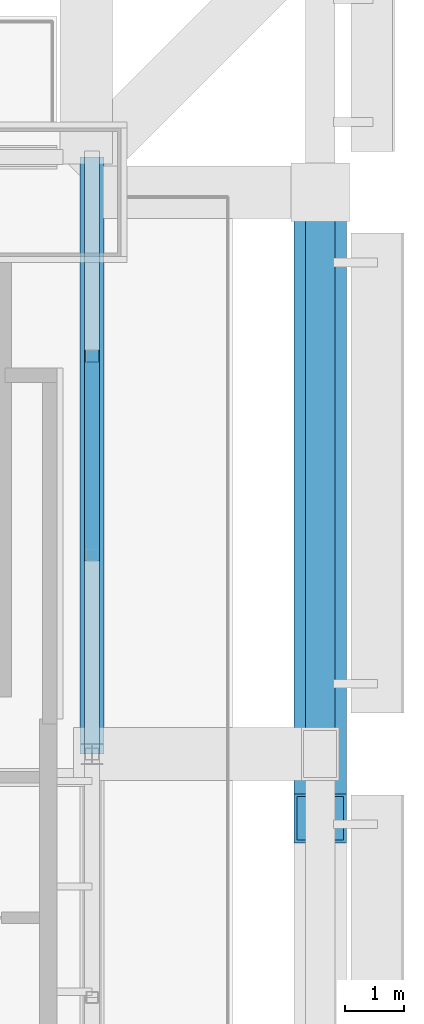
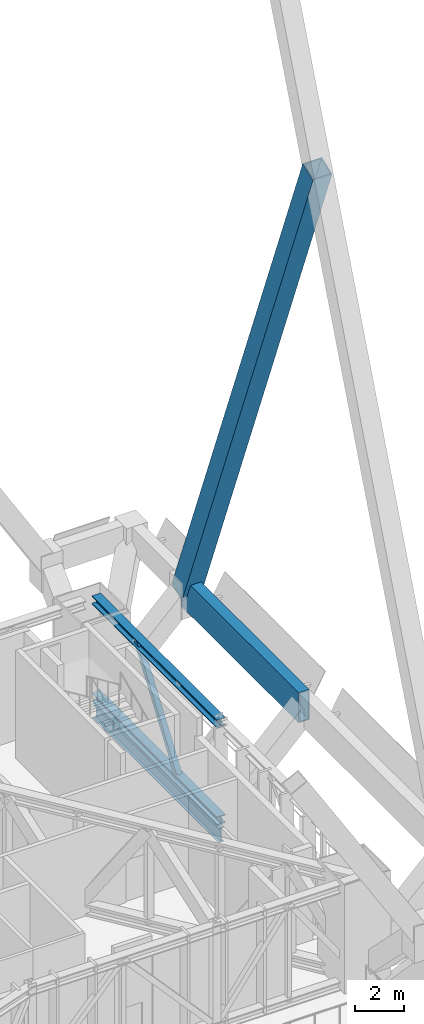
# One storey, part 18 of 30: 4 members, 2 beams.
"""IFC4 building model written with IfcOpenShell, lengths in metres."""

import ifcopenshell
import ifcopenshell.guid

model = None  # the IFC model being written
_history = None  # IfcOwnerHistory: only IFC2X3 demands one
_inside = {}  # id of a spatial element -> (the spatial element, [elements in it])
_under = {}  # id of a project, library or spatial element -> (it, [spatial elements below it])
_declared = {}  # id of a project -> (the project, [libraries it declares])
_typed = {}  # id of a type object -> (the type object, [elements of that type])
_made_of = {}  # id of a material, layer set ... -> (it, [elements and type objects made of it])


def new_model(schema):
    """Start an empty IFC model of exactly this schema.

    Asked for "IFC4X3", IfcOpenShell would pick the latest addendum, in which some entities
    have other attributes; the version numbers below select the first issue.
    IFC2X3 requires an IfcOwnerHistory on every rooted entity: one is made here for all.
    """
    global model, _history
    if schema == "IFC4X3":
        model = ifcopenshell.file(schema_version=(4, 3, 0, 0))
    else:
        model = ifcopenshell.file(schema=schema)
    _inside.clear()
    _under.clear()
    _declared.clear()
    _typed.clear()
    _made_of.clear()
    _history = None
    if model.schema == "IFC2X3":
        org = make("IfcOrganization", Name="unknown")
        user = make(
            "IfcPersonAndOrganization",
            ThePerson=make("IfcPerson", FamilyName="unknown"),
            TheOrganization=org,
        )
        app = make(
            "IfcApplication",
            ApplicationDeveloper=org,
            Version="unknown",
            ApplicationFullName="unknown",
            ApplicationIdentifier="unknown",
        )
        _history = make(
            "IfcOwnerHistory",
            OwningUser=user,
            OwningApplication=app,
            ChangeAction="ADDED",
            CreationDate=0,
        )
    return model


def make(cls, **values):
    """One entity of the class cls with the attributes given. An attribute that is None is left unset."""
    return model.create_entity(
        cls, **{name: value for name, value in values.items() if value is not None}
    )


def rooted(cls, **values):
    """An entity with a GlobalId (a new one), such as an element, a storey or a relation."""
    return make(cls, GlobalId=ifcopenshell.guid.new(), OwnerHistory=_history, **values)


def si_unit(unit_type, name, prefix=None):
    """IfcSIUnit, for example si_unit("LENGTHUNIT", "METRE", prefix="MILLI")."""
    return make("IfcSIUnit", UnitType=unit_type, Prefix=prefix, Name=name)


def assignment(units):
    """IfcUnitAssignment: the units of a project."""
    return None if units is None else make("IfcUnitAssignment", Units=units)


def point(xyz):
    """IfcCartesianPoint."""
    return None if xyz is None else make("IfcCartesianPoint", Coordinates=xyz)


def direction(xyz):
    """IfcDirection."""
    return None if xyz is None else make("IfcDirection", DirectionRatios=xyz)


def frame(location, z_axis=None, x_axis=None):
    """IfcAxis2Placement3D, a coordinate frame: its origin and axes. An axis left out is left unset."""
    return make(
        "IfcAxis2Placement3D",
        Location=point(location),
        Axis=direction(z_axis),
        RefDirection=direction(x_axis),
    )


def frame_2d(location, x_axis=None):
    """IfcAxis2Placement2D, a coordinate frame in the plane: its origin and x axis."""
    return make(
        "IfcAxis2Placement2D", Location=point(location), RefDirection=direction(x_axis)
    )


def origin():
    """The frame at (0, 0, 0) with its axes left unset."""
    return frame((0.0, 0.0, 0.0))


def origin_2d():
    """The frame at (0, 0) in the plane with its x axis left unset."""
    return frame_2d((0.0, 0.0))


def place(relative_to, where):
    """IfcLocalPlacement: puts the frame where relative to a parent placement (None: the world)."""
    return make(
        "IfcLocalPlacement", PlacementRelTo=relative_to, RelativePlacement=where
    )


def context(
    kind, dimensions, precision=None, world=None, true_north=None, identifier=None
):
    """IfcGeometricRepresentationContext, for example the 3D "Model" context."""
    return make(
        "IfcGeometricRepresentationContext",
        ContextIdentifier=identifier,
        ContextType=kind,
        CoordinateSpaceDimension=dimensions,
        Precision=precision,
        WorldCoordinateSystem=world,
        TrueNorth=true_north,
    )


def subcontext(parent, identifier, kind, view, scale=None):
    """IfcGeometricRepresentationSubContext, for example "Body" below "Model"."""
    return make(
        "IfcGeometricRepresentationSubContext",
        ContextIdentifier=identifier,
        ContextType=kind,
        ParentContext=parent,
        TargetScale=scale,
        TargetView=view,
    )


def project(units=None, contexts=None):
    """IfcProject with its units and contexts."""
    return rooted(
        "IfcProject",
        Name="project",
        RepresentationContexts=contexts,
        UnitsInContext=assignment(units),
    )


def spatial(cls, under=None, at=None, **own):
    """A site, building, storey or space (cls), placed at a placement, below another one or the project."""
    s = rooted(cls, ObjectPlacement=at, **own)
    if under is not None:
        _under.setdefault(under.id(), (under, []))[1].append(s)
    return s


def profile(cls, at=None, kind="AREA", **sizes):
    """A parametric profile (cls). Its sizes go by their IFC names, for example OverallWidth=200.0."""
    return make(cls, ProfileType=kind, Position=at, **sizes)


def hollow_rectangle(**sizes):
    """IfcRectangleHollowProfileDef."""
    return profile("IfcRectangleHollowProfileDef", **sizes)


def i_section(**sizes):
    """IfcIShapeProfileDef."""
    return profile("IfcIShapeProfileDef", **sizes)


def extrude(swept, where, along, depth):
    """IfcExtrudedAreaSolid: the profile swept, set in the frame where, extruded along a direction by depth."""
    return make(
        "IfcExtrudedAreaSolid",
        SweptArea=swept,
        Position=where,
        ExtrudedDirection=direction(along),
        Depth=depth,
    )


def shape(context_of_items, identifier, shape_type, items):
    """IfcShapeRepresentation: the items that make up one representation, for example the "Body"."""
    return make(
        "IfcShapeRepresentation",
        ContextOfItems=context_of_items,
        RepresentationIdentifier=identifier,
        RepresentationType=shape_type,
        Items=items,
    )


def material(Name=None, Category=None):
    """IfcMaterial."""
    return make("IfcMaterial", Name=Name, Category=Category)


def material_profile(
    of_material, cross_section, Name=None, Category=None, Priority=None
):
    """IfcMaterialProfile: a cross section and its material."""
    return make(
        "IfcMaterialProfile",
        Name=Name,
        Material=of_material,
        Profile=cross_section,
        Priority=Priority,
        Category=Category,
    )


def profile_set(profiles, Name=None, composite=None):
    """IfcMaterialProfileSet."""
    return make(
        "IfcMaterialProfileSet",
        Name=Name,
        MaterialProfiles=profiles,
        CompositeProfile=composite,
    )


def made_of(thing, what):
    """Note that an element or type object is made of a material, layer set ...; save() writes the relation."""
    if what is not None:
        _made_of.setdefault(what.id(), (what, []))[1].append(thing)
    return thing


def type_object(cls, material=None, **own):
    """A type object (cls), such as IfcWallType, which elements share."""
    return made_of(rooted(cls, **own), material)


def element(
    cls,
    number,
    at=None,
    inside=None,
    cuts=None,
    type_object=None,
    material=None,
    context=None,
    identifier="Body",
    shape_type=None,
    held_by="IfcProductDefinitionShape",
    body=None,
    shapes=None,
    **own,
):
    """One element of the class cls, such as IfcWall. Its Tag is "e" and its number.

    at: its placement. inside: the storey or other place that contains it. cuts: it is an
    opening in that element (IfcRelVoidsElement). A single representation is given by context,
    identifier, shape_type and body (its items); several are given by shapes. held_by: the class
    of the entity that holds the representations. save() writes the other relations.
    """
    e = rooted(cls, Tag="e%d" % number, ObjectPlacement=at, **own)
    if body is not None:
        shapes = [shape(context, identifier, shape_type, body)]
    if shapes is not None:
        e.Representation = make(held_by, Representations=shapes)
    if inside is not None:
        _inside.setdefault(inside.id(), (inside, []))[1].append(e)
    if cuts is not None:
        rooted(
            "IfcRelVoidsElement", RelatingBuildingElement=cuts, RelatedOpeningElement=e
        )
    if type_object is not None:
        _typed.setdefault(type_object.id(), (type_object, []))[1].append(e)
    return made_of(e, material)


def aggregate(whole, parts):
    """IfcRelAggregates: a whole, such as a stair, and the parts it consists of."""
    return rooted("IfcRelAggregates", RelatingObject=whole, RelatedObjects=parts)


def save(model, path):
    """Write the relations noted so far, then the file.

    IfcRelAggregates (storeys below a building ...), IfcRelContainedInSpatialStructure (elements
    in a storey), IfcRelDefinesByType, IfcRelAssociatesMaterial and IfcRelDeclares: one each for
    every whole, place, type object, material and project.
    """
    for whole, parts in _under.values():
        aggregate(whole, parts)
    for where, things in _inside.values():
        rooted(
            "IfcRelContainedInSpatialStructure",
            RelatedElements=things,
            RelatingStructure=where,
        )
    for kind, things in _typed.values():
        rooted("IfcRelDefinesByType", RelatedObjects=things, RelatingType=kind)
    for what, things in _made_of.values():
        rooted("IfcRelAssociatesMaterial", RelatedObjects=things, RelatingMaterial=what)
    for by, libraries in _declared.values():
        rooted("IfcRelDeclares", RelatingContext=by, RelatedDefinitions=libraries)
    model.write(path)


model = new_model("IFC4")

# Units and contexts
model_context = context("Model", 3, precision=1e-05, world=origin(), true_north=direction((0.0, 1.0)))
body_context = subcontext(model_context, "Body", "Model", "MODEL_VIEW")
ifc_project = project(units=[si_unit("LENGTHUNIT", "METRE"), si_unit("AREAUNIT", "SQUARE_METRE"), si_unit("VOLUMEUNIT", "CUBIC_METRE"), si_unit("PLANEANGLEUNIT", "RADIAN"), si_unit("MASSUNIT", "GRAM", prefix="KILO")], contexts=[model_context])

# Site, building, storey
site_placement = place(None, origin())
site = spatial("IfcSite", under=ifc_project, at=site_placement, CompositionType="ELEMENT")
building_placement = place(site_placement, origin())
building = spatial("IfcBuilding", under=site, at=building_placement, Name="Bicima Exchange Tower", CompositionType="ELEMENT")
storey_placement = place(building_placement, frame((0.0, 0.0, 287.60009765625)))
storey = spatial("IfcBuildingStorey", under=building, at=storey_placement, Name="L65", CompositionType="ELEMENT", Elevation=287.60009765625)

# Beam
ifc_material_1 = material(Name="Steel ASTM A572 Gr 50", Category="steel")
ifc_material_profile_1 = material_profile(ifc_material_1, hollow_rectangle(XDim=0.5, YDim=1.5, WallThickness=0.050048828125, at=origin_2d()))
ifc_profile_set_1 = profile_set([ifc_material_profile_1], Name="Steel ASTM A572 Gr 50")
beam_type_1 = type_object("IfcBeamType", Name="Belt girder BOX 500x1500x50", PredefinedType="BEAM", material=ifc_profile_set_1)
beam_1_placement = place(storey_placement, frame((37.5, -12.60009765625, 4.5), z_axis=(0.0, 1.0, 0.0), x_axis=(-1.0, 0.0, 0.0)))
element("IfcBeam", 1, at=beam_1_placement, inside=storey, type_object=beam_type_1, Name="Belt girder", PredefinedType="BEAM", context=body_context, shape_type="SweptSolid", body=[
    extrude(hollow_rectangle(XDim=0.5, YDim=1.5, WallThickness=0.050048828125, at=origin_2d()), origin(), (0.0, 0.0, 1.0), 9.60009765625),
])

# Members
ifc_material_2 = material(Name="Steel ASTM A992 Gr 50", Category="steel")
ifc_material_profile_2 = material_profile(ifc_material_2, i_section(OverallWidth=0.406494140625, OverallDepth=0.41650390625, WebThickness=0.030029296875, FlangeThickness=0.048095703125, at=origin_2d()))
ifc_profile_set_2 = profile_set([ifc_material_profile_2], Name="Steel ASTM A992 Gr 50")
member_type_1 = type_object("IfcMemberType", Name="Belt truss chord W14x257", PredefinedType="CHORD", material=ifc_profile_set_2)
for number, where, z_axis, x_axis, name in (
    (2, (33.60009765625, -2.39990234375, 5.04150390625), (0.0, -1.0, 0.0), (1.0, 0.0, 0.0), "Top chord"),
    (3, (33.60009765625, -2.39990234375, 0.208251953125), (0.0, -1.0, 0.0), (1.0, 0.0, 0.0), "Bottom chord"),
):
    element("IfcMember", number, at=place(storey_placement, frame(where, z_axis=z_axis, x_axis=x_axis)), inside=storey, type_object=member_type_1, Name=name, PredefinedType="CHORD", context=body_context, shape_type="SweptSolid", body=[
        extrude(i_section(OverallWidth=0.406494140625, OverallDepth=0.41650390625, WebThickness=0.030029296875, FlangeThickness=0.048095703125, at=origin_2d()), origin(), (0.0, 0.0, 1.0), 10.2001953125),
    ])
ifc_material_profile_3 = material_profile(ifc_material_1, hollow_rectangle(XDim=0.25390625, YDim=0.25390625, WallThickness=0.01171875, at=origin_2d()))
ifc_profile_set_3 = profile_set([ifc_material_profile_3], Name="Steel ASTM A572 Gr 50")
member_type_2 = type_object("IfcMemberType", Name="Belt truss diagonal HSS10x10x1/2", PredefinedType="STRUT", material=ifc_profile_set_3)
member_1_placement = place(storey_placement, frame((33.60009765625, -5.800048828125, 5.04150390625), z_axis=(0.0, -0.575349098846, -0.817907949868), x_axis=(1.0, 0.0, 0.0)))
element("IfcMember", 4, at=member_1_placement, inside=storey, type_object=member_type_2, Name="Truss diagonal", PredefinedType="STRUT", context=body_context, shape_type="SweptSolid", body=[
    extrude(hollow_rectangle(XDim=0.25390625, YDim=0.25390625, WallThickness=0.01171875, at=origin_2d()), origin(), (0.0, 0.0, 1.0), 5.9091796875),
])

# Beam
ifc_material_profile_4 = material_profile(ifc_material_2, i_section(OverallWidth=0.256591796875, OverallDepth=0.693359375, WebThickness=0.014404296875, FlangeThickness=0.023681640625, at=origin_2d()))
ifc_profile_set_4 = profile_set([ifc_material_profile_4], Name="Steel ASTM A992 Gr 50")
beam_type_2 = type_object("IfcBeamType", Name="End girder W27x114", PredefinedType="BEAM", material=ifc_profile_set_4)
beam_2_placement = place(storey_placement, frame((33.60009765625, -2.39990234375, -0.546875), z_axis=(0.0, -1.0, 0.0), x_axis=(1.0, 0.0, 0.0)))
element("IfcBeam", 5, at=beam_2_placement, inside=storey, type_object=beam_type_2, Name="End girder", PredefinedType="BEAM", context=body_context, shape_type="SweptSolid", body=[
    extrude(i_section(OverallWidth=0.256591796875, OverallDepth=0.693359375, WebThickness=0.014404296875, FlangeThickness=0.023681640625, at=origin_2d()), origin(), (0.0, 0.0, 1.0), 10.2001953125),
])

# Member
ifc_material_profile_5 = material_profile(ifc_material_1, hollow_rectangle(XDim=0.89990234375, YDim=0.89990234375, WallThickness=0.050048828125, at=origin_2d()))
ifc_profile_set_5 = profile_set([ifc_material_profile_5], Name="Steel ASTM A572 Gr 50")
member_type_3 = type_object("IfcMemberType", Name="Exo mega brace BOX 900x900x50", PredefinedType="BRACE", material=ifc_profile_set_5)
member_2_placement = place(storey_placement, frame((37.5, -3.0, 4.5), z_axis=(0.0, -0.363478587455, 0.931602552842), x_axis=(1.0, 0.0, 0.0)))
element("IfcMember", 6, at=member_2_placement, inside=storey, type_object=member_type_3, Name="Exo mega brace end", PredefinedType="BRACE", context=body_context, shape_type="SweptSolid", body=[
    extrude(hollow_rectangle(XDim=0.89990234375, YDim=0.89990234375, WallThickness=0.050048828125, at=origin_2d()), origin(), (0.0, 0.0, 1.0), 29.438232421875),
])

save(model, "model.ifc")
